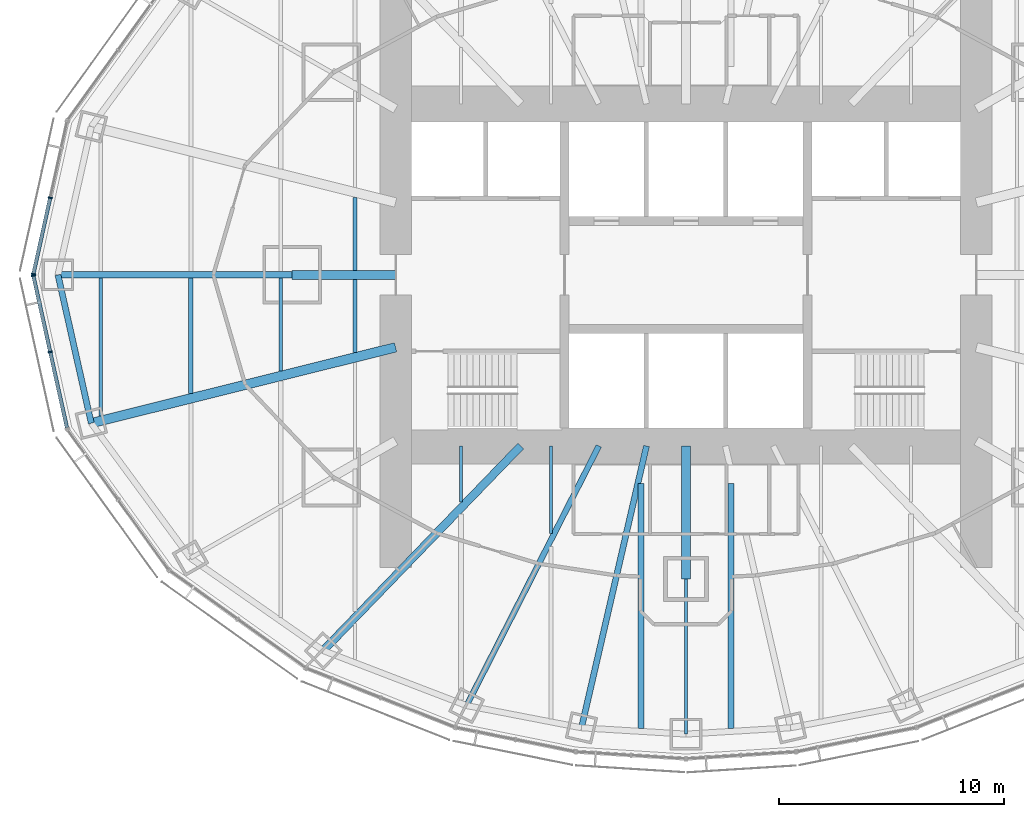
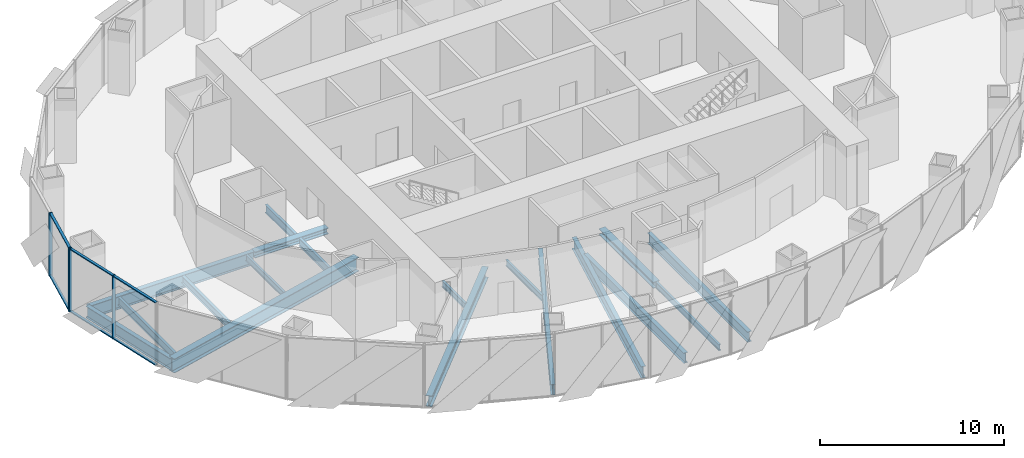
# One storey, part 3 of 18: 18 beams, 10 members, 2 elements without a shape of their own.
"""IFC4 building model written with IfcOpenShell, lengths in metres."""

from ifc_helpers import new_model, si_unit, direction, frame, origin, origin_2d, place, context, subcontext, project, spatial, rectangle, i_section, extrude, material, material_profile, profile_set, type_object, element, aggregate, save


model = new_model("IFC4")

# Units and contexts
model_context = context("Model", 3, precision=1e-05, world=origin(), true_north=direction((0.0, 1.0)))
body_context = subcontext(model_context, "Body", "Model", "MODEL_VIEW")
ifc_project = project(units=[si_unit("LENGTHUNIT", "METRE"), si_unit("AREAUNIT", "SQUARE_METRE"), si_unit("VOLUMEUNIT", "CUBIC_METRE"), si_unit("PLANEANGLEUNIT", "RADIAN"), si_unit("MASSUNIT", "GRAM", prefix="KILO")], contexts=[model_context])

# Site, building, storey
site_placement = place(None, origin())
site = spatial("IfcSite", under=ifc_project, at=site_placement, CompositionType="ELEMENT")
building_placement = place(site_placement, origin())
building = spatial("IfcBuilding", under=site, at=building_placement, Name="Lantaw Convention Tower", CompositionType="ELEMENT")
storey_placement = place(building_placement, frame((0.0, 0.0, 184.60009765625)))
storey = spatial("IfcBuildingStorey", under=building, at=storey_placement, Name="L43", CompositionType="ELEMENT", Elevation=184.60009765625)

# Beams
ifc_material_1 = material(Name="Steel ASTM A992", Category="steel")
ifc_material_profile_1 = material_profile(ifc_material_1, i_section(OverallWidth=0.2666015625, OverallDepth=0.76953125, WebThickness=0.015625, FlangeThickness=0.025390625, FilletRadius=0.0126953125, at=origin_2d()), Name="W30X132")
ifc_profile_set_1 = profile_set([ifc_material_profile_1], Name="Steel ASTM A992")
beam_type_1 = type_object("IfcBeamType", Name="Beam E W30X132", PredefinedType="SPANDREL", material=ifc_profile_set_1)
beam_1_placement = place(storey_placement, frame((-27.89990234375, 0.0, -0.534912109375), z_axis=(0.219211877447, -0.975677279015, 0.0), x_axis=(0.975677279015, 0.219211877447, 0.0)))
element("IfcBeam", 1, at=beam_1_placement, inside=storey, type_object=beam_type_1, Name="Edge beam 13", PredefinedType="SPANDREL", context=body_context, shape_type="SweptSolid", body=[
    extrude(i_section(OverallWidth=0.2666015625, OverallDepth=0.76953125, WebThickness=0.015625, FlangeThickness=0.025390625, FilletRadius=0.0126953125, at=origin_2d()), origin(), (0.0, 0.0, 1.0), 6.75146484375),
])
ifc_material_profile_2 = material_profile(ifc_material_1, i_section(OverallWidth=0.140380859375, OverallDepth=0.40380859375, WebThickness=0.007080078125, FlangeThickness=0.01123046875, FilletRadius=0.01025390625, at=origin_2d()), Name="W16X31")
ifc_profile_set_2 = profile_set([ifc_material_profile_2], Name="Steel ASTM A992")
beam_type_2 = type_object("IfcBeamType", Name="Beam G W16X31", PredefinedType="BEAM", material=ifc_profile_set_2)
beam_2_placement = place(storey_placement, frame((0.0, -13.5, -0.35205078125), z_axis=(0.0, -1.0, 0.0), x_axis=(1.0, 0.0, 0.0)))
element("IfcBeam", 2, at=beam_2_placement, inside=storey, type_object=beam_type_2, Name="Floor girder on ray 19", PredefinedType="BEAM", context=body_context, shape_type="SweptSolid", body=[
    extrude(i_section(OverallWidth=0.140380859375, OverallDepth=0.40380859375, WebThickness=0.007080078125, FlangeThickness=0.01123046875, FilletRadius=0.01025390625, at=origin_2d()), origin(), (0.0, 0.0, 1.0), 6.89990234375),
])
ifc_material_profile_3 = material_profile(ifc_material_1, i_section(OverallWidth=0.25390625, OverallDepth=0.700927734375, WebThickness=0.015380859375, FlangeThickness=0.02783203125, FilletRadius=0.01513671875, at=origin_2d()), Name="W27X129")
ifc_profile_set_3 = profile_set([ifc_material_profile_3], Name="Steel ASTM A992")
beam_type_3 = type_object("IfcBeamType", Name="Beam G W27X129", PredefinedType="BEAM", material=ifc_profile_set_3)
beam_3_placement = place(storey_placement, frame((-3.872314453125, -7.60009765625, -0.500732421875), z_axis=(-0.453991051051, -0.891006243281, 0.0), x_axis=(0.891006243281, -0.453991051051, 0.0)))
element("IfcBeam", 3, at=beam_3_placement, inside=storey, type_object=beam_type_3, Name="Floor girder on ray 17", PredefinedType="BEAM", context=body_context, shape_type="SweptSolid", body=[
    extrude(i_section(OverallWidth=0.25390625, OverallDepth=0.700927734375, WebThickness=0.015380859375, FlangeThickness=0.02783203125, FilletRadius=0.01513671875, at=origin_2d()), origin(), (0.0, 0.0, 1.0), 12.943359375),
])
ifc_material_profile_4 = material_profile(ifc_material_1, i_section(OverallWidth=0.360595703125, OverallDepth=0.72900390625, WebThickness=0.023193359375, FlangeThickness=0.041015625, FilletRadius=0.0126953125, at=origin_2d()), Name="W27X235")
ifc_profile_set_4 = profile_set([ifc_material_profile_4], Name="Steel ASTM A992")
beam_type_4 = type_object("IfcBeamType", Name="Beam G W27X235", PredefinedType="BEAM", material=ifc_profile_set_4)
beam_4_placement = place(storey_placement, frame((-7.33935546875, -7.60009765625, -0.5146484375), z_axis=(-0.694663467407, -0.719334878239, 0.0), x_axis=(0.719334878239, -0.694663467407, 0.0)))
element("IfcBeam", 4, at=beam_4_placement, inside=storey, type_object=beam_type_4, Name="Floor girder on ray 16", PredefinedType="BEAM", context=body_context, shape_type="SweptSolid", body=[
    extrude(i_section(OverallWidth=0.360595703125, OverallDepth=0.72900390625, WebThickness=0.023193359375, FlangeThickness=0.041015625, FilletRadius=0.0126953125, at=origin_2d()), origin(), (0.0, 0.0, 1.0), 12.63671875),
])
ifc_material_profile_5 = material_profile(ifc_material_1, i_section(OverallWidth=0.2666015625, OverallDepth=0.7568359375, WebThickness=0.013916015625, FlangeThickness=0.019287109375, FilletRadius=0.0126953125, at=origin_2d()), Name="W30X108")
ifc_profile_set_5 = profile_set([ifc_material_profile_5], Name="Steel ASTM A992")
beam_type_5 = type_object("IfcBeamType", Name="Beam G W30X108", PredefinedType="BEAM", material=ifc_profile_set_5)
beam_5_placement = place(storey_placement, frame((-1.754638671875, -7.60009765625, -0.528564453125), z_axis=(-0.224944153104, -0.974371658036, 0.0), x_axis=(0.974371658036, -0.224944153104, 0.0)))
element("IfcBeam", 5, at=beam_5_placement, inside=storey, type_object=beam_type_5, Name="Floor girder on ray 18", PredefinedType="BEAM", context=body_context, shape_type="SweptSolid", body=[
    extrude(i_section(OverallWidth=0.2666015625, OverallDepth=0.7568359375, WebThickness=0.013916015625, FlangeThickness=0.019287109375, FilletRadius=0.0126953125, at=origin_2d()), origin(), (0.0, 0.0, 1.0), 12.849365234375),
])
ifc_material_profile_6 = material_profile(ifc_material_1, i_section(OverallWidth=0.2919921875, OverallDepth=0.845703125, WebThickness=0.015380859375, FlangeThickness=0.0244140625, FilletRadius=0.01513671875, at=origin_2d()), Name="W33X141")
ifc_profile_set_6 = profile_set([ifc_material_profile_6], Name="Steel ASTM A992")
beam_type_6 = type_object("IfcBeamType", Name="Beam G W33X141", PredefinedType="BEAM", material=ifc_profile_set_6)
beam_6_placement = place(storey_placement, frame((-17.5, 0.0, -0.572998046875), z_axis=(-1.0, 0.0, 0.0), x_axis=(0.0, -1.0, 0.0)))
element("IfcBeam", 6, at=beam_6_placement, inside=storey, type_object=beam_type_6, Name="Floor girder on ray 13", PredefinedType="BEAM", context=body_context, shape_type="SweptSolid", body=[
    extrude(i_section(OverallWidth=0.2919921875, OverallDepth=0.845703125, WebThickness=0.015380859375, FlangeThickness=0.0244140625, FilletRadius=0.01513671875, at=origin_2d()), origin(), (0.0, 0.0, 1.0), 10.39990234375),
])
ifc_material_profile_7 = material_profile(ifc_material_1, i_section(OverallWidth=0.421630859375, OverallDepth=0.937255859375, WebThickness=0.0224609375, FlangeThickness=0.039794921875, FilletRadius=0.02001953125, at=origin_2d()), Name="W36X282")
ifc_profile_set_7 = profile_set([ifc_material_profile_7], Name="Steel ASTM A992")
beam_type_7 = type_object("IfcBeamType", Name="Beam G W36X282", PredefinedType="BEAM", material=ifc_profile_set_7)
beam_7_placement = place(storey_placement, frame((-12.89990234375, -3.21630859375, -0.61865234375), z_axis=(-0.970296903132, -0.24191717544, 0.0), x_axis=(0.24191717544, -0.970296903132, 0.0)))
element("IfcBeam", 7, at=beam_7_placement, inside=storey, type_object=beam_type_7, Name="Floor girder on ray 14", PredefinedType="BEAM", context=body_context, shape_type="SweptSolid", body=[
    extrude(i_section(OverallWidth=0.421630859375, OverallDepth=0.937255859375, WebThickness=0.0224609375, FlangeThickness=0.039794921875, FilletRadius=0.02001953125, at=origin_2d()), origin(), (0.0, 0.0, 1.0), 13.933837890625),
])
ifc_material_profile_8 = material_profile(ifc_material_1, i_section(OverallWidth=0.40380859375, OverallDepth=0.406494140625, WebThickness=0.027099609375, FlangeThickness=0.043701171875, FilletRadius=0.01513671875, at=origin_2d()), Name="W14X233")
ifc_profile_set_8 = profile_set([ifc_material_profile_8], Name="Steel ASTM A992")
beam_type_8 = type_object("IfcBeamType", Name="Beam GM W14X233", PredefinedType="BEAM", material=ifc_profile_set_8)
beam_8_placement = place(storey_placement, frame((-12.89990234375, 0.0, -0.353271484375), z_axis=(-1.0, 0.0, 0.0), x_axis=(0.0, -1.0, 0.0)))
element("IfcBeam", 8, at=beam_8_placement, inside=storey, type_object=beam_type_8, Name="Core link beam on ray 13", PredefinedType="BEAM", context=body_context, shape_type="SweptSolid", body=[
    extrude(i_section(OverallWidth=0.40380859375, OverallDepth=0.406494140625, WebThickness=0.027099609375, FlangeThickness=0.043701171875, FilletRadius=0.01513671875, at=origin_2d()), origin(), (0.0, 0.0, 1.0), 4.60009765625),
])
beam_9_placement = place(storey_placement, frame((0.0, -7.60009765625, -0.353271484375), z_axis=(0.0, -1.0, 0.0), x_axis=(1.0, 0.0, 0.0)))
element("IfcBeam", 9, at=beam_9_placement, inside=storey, type_object=beam_type_8, Name="Core link beam on ray 19", PredefinedType="BEAM", context=body_context, shape_type="SweptSolid", body=[
    extrude(i_section(OverallWidth=0.40380859375, OverallDepth=0.406494140625, WebThickness=0.027099609375, FlangeThickness=0.043701171875, FilletRadius=0.01513671875, at=origin_2d()), origin(), (0.0, 0.0, 1.0), 5.89990234375),
])
ifc_material_profile_9 = material_profile(ifc_material_1, i_section(OverallWidth=0.140380859375, OverallDepth=0.40380859375, WebThickness=0.007080078125, FlangeThickness=0.01123046875, FilletRadius=0.01025390625, at=origin_2d()), Name="W16X31")
ifc_profile_set_9 = profile_set([ifc_material_profile_9], Name="Steel ASTM A992")
beam_type_9 = type_object("IfcBeamType", Name="Beam J W16X31", PredefinedType="JOIST", material=ifc_profile_set_9)
beam_10_placement = place(storey_placement, frame((-18.0, -4.270751953125, -0.35205078125), z_axis=(0.0, 1.0, 0.0), x_axis=(-1.0, 0.0, 0.0)))
element("IfcBeam", 10, at=beam_10_placement, inside=storey, type_object=beam_type_9, Name="Floor joist", PredefinedType="JOIST", context=body_context, shape_type="SweptSolid", body=[
    extrude(i_section(OverallWidth=0.140380859375, OverallDepth=0.40380859375, WebThickness=0.007080078125, FlangeThickness=0.01123046875, FilletRadius=0.01025390625, at=origin_2d()), origin(), (0.0, 0.0, 1.0), 4.124755859375),
])
beam_11_placement = place(storey_placement, frame((-10.0, -10.095703125, -0.35205078125), z_axis=(0.0, 1.0, 0.0), x_axis=(-1.0, 0.0, 0.0)))
element("IfcBeam", 11, at=beam_11_placement, inside=storey, type_object=beam_type_9, Name="Floor joist", PredefinedType="JOIST", context=body_context, shape_type="SweptSolid", body=[
    extrude(i_section(OverallWidth=0.140380859375, OverallDepth=0.40380859375, WebThickness=0.007080078125, FlangeThickness=0.01123046875, FilletRadius=0.01025390625, at=origin_2d()), origin(), (0.0, 0.0, 1.0), 2.49560546875),
])
beam_12_placement = place(storey_placement, frame((-6.0, -11.495849609375, -0.35205078125), z_axis=(0.0, 1.0, 0.0), x_axis=(-1.0, 0.0, 0.0)))
element("IfcBeam", 12, at=beam_12_placement, inside=storey, type_object=beam_type_9, Name="Floor joist", PredefinedType="JOIST", context=body_context, shape_type="SweptSolid", body=[
    extrude(i_section(OverallWidth=0.140380859375, OverallDepth=0.40380859375, WebThickness=0.007080078125, FlangeThickness=0.01123046875, FilletRadius=0.01025390625, at=origin_2d()), origin(), (0.0, 0.0, 1.0), 3.895751953125),
])
ifc_material_profile_10 = material_profile(ifc_material_1, i_section(OverallWidth=0.1904296875, OverallDepth=0.457275390625, WebThickness=0.009033203125, FlangeThickness=0.014404296875, FilletRadius=0.01025390625, at=origin_2d()), Name="W18X50")
ifc_profile_set_10 = profile_set([ifc_material_profile_10], Name="Steel ASTM A992")
beam_type_10 = type_object("IfcBeamType", Name="Beam J W18X50", PredefinedType="JOIST", material=ifc_profile_set_10)
beam_13_placement = place(storey_placement, frame((-22.0, -5.267822265625, -0.378662109375), z_axis=(0.0, 1.0, 0.0), x_axis=(-1.0, 0.0, 0.0)))
element("IfcBeam", 13, at=beam_13_placement, inside=storey, type_object=beam_type_10, Name="Floor joist", PredefinedType="JOIST", context=body_context, shape_type="SweptSolid", body=[
    extrude(i_section(OverallWidth=0.1904296875, OverallDepth=0.457275390625, WebThickness=0.009033203125, FlangeThickness=0.014404296875, FilletRadius=0.01025390625, at=origin_2d()), origin(), (0.0, 0.0, 1.0), 5.121826171875),
])
ifc_material_profile_11 = material_profile(ifc_material_1, i_section(OverallWidth=0.1650390625, OverallDepth=0.52587890625, WebThickness=0.0087890625, FlangeThickness=0.011474609375, FilletRadius=0.0126953125, at=origin_2d()), Name="W21X44")
ifc_profile_set_11 = profile_set([ifc_material_profile_11], Name="Steel ASTM A992")
beam_type_11 = type_object("IfcBeamType", Name="Beam J W21X44", PredefinedType="JOIST", material=ifc_profile_set_11)
beam_14_placement = place(storey_placement, frame((-26.0, -6.26513671875, -0.4130859375), z_axis=(0.0, 1.0, 0.0), x_axis=(-1.0, 0.0, 0.0)))
element("IfcBeam", 14, at=beam_14_placement, inside=storey, type_object=beam_type_11, Name="Floor joist", PredefinedType="JOIST", context=body_context, shape_type="SweptSolid", body=[
    extrude(i_section(OverallWidth=0.1650390625, OverallDepth=0.52587890625, WebThickness=0.0087890625, FlangeThickness=0.011474609375, FilletRadius=0.0126953125, at=origin_2d()), origin(), (0.0, 0.0, 1.0), 6.119140625),
])
ifc_material_profile_12 = material_profile(ifc_material_1, i_section(OverallWidth=0.165771484375, OverallDepth=0.5283203125, WebThickness=0.009765625, FlangeThickness=0.013671875, FilletRadius=0.012939453125, at=origin_2d()), Name="W21X50")
ifc_profile_set_12 = profile_set([ifc_material_profile_12], Name="Steel ASTM A992")
beam_type_12 = type_object("IfcBeamType", Name="Beam J W21X50", PredefinedType="JOIST", material=ifc_profile_set_12)
for number, where, z_axis, x_axis, name in (
    (15, (-14.699951171875, -3.44775390625, -0.414306640625), (0.0, 1.0, 0.0), (-1.0, 0.0, 0.0), "Floor joist"),
    (16, (-14.699951171875, 0.201904296875, -0.414306640625), (0.0, 1.0, 0.0), (-1.0, 0.0, 0.0), "Floor joist"),
):
    element("IfcBeam", number, at=place(storey_placement, frame(where, z_axis=z_axis, x_axis=x_axis)), inside=storey, type_object=beam_type_12, Name=name, PredefinedType="JOIST", context=body_context, shape_type="SweptSolid", body=[
        extrude(i_section(OverallWidth=0.165771484375, OverallDepth=0.5283203125, WebThickness=0.009765625, FlangeThickness=0.013671875, FilletRadius=0.012939453125, at=origin_2d()), origin(), (0.0, 0.0, 1.0), 3.245849609375),
    ])
ifc_material_profile_13 = material_profile(ifc_material_1, i_section(OverallWidth=0.25390625, OverallDepth=0.683349609375, WebThickness=0.012451171875, FlangeThickness=0.01904296875, FilletRadius=0.01513671875, at=origin_2d()), Name="W27X94")
ifc_profile_set_13 = profile_set([ifc_material_profile_13], Name="Steel ASTM A992")
beam_type_13 = type_object("IfcBeamType", Name="Beam J W27X94", PredefinedType="JOIST", material=ifc_profile_set_13)
for number, where, z_axis, x_axis, name in (
    (17, (-2.0, -20.145751953125, -0.49169921875), (0.0, 1.0, 0.0), (-1.0, 0.0, 0.0), "Floor joist"),
    (18, (2.0, -20.145751953125, -0.49169921875), (0.0, 1.0, 0.0), (-1.0, 0.0, 0.0), "Floor joist"),
):
    element("IfcBeam", number, at=place(storey_placement, frame(where, z_axis=z_axis, x_axis=x_axis)), inside=storey, type_object=beam_type_13, Name=name, PredefinedType="JOIST", context=body_context, shape_type="SweptSolid", body=[
        extrude(i_section(OverallWidth=0.25390625, OverallDepth=0.683349609375, WebThickness=0.012451171875, FlangeThickness=0.01904296875, FilletRadius=0.01513671875, at=origin_2d()), origin(), (0.0, 0.0, 1.0), 10.889892578125),
    ])

# Curtain wall, members
ifc_material_2 = material(Name="Aluminium framed curtain wall", Category="aluminium")
curtain_wall_type = type_object("IfcCurtainWallType", Name="Office curtain wall low rise, pale aluminium", PredefinedType="USERDEFINED", material=ifc_material_2)
curtain_wall_1_placement = place(storey_placement, origin())
curtain_wall_1 = element("IfcCurtainWall", 19, at=curtain_wall_1_placement, inside=storey, type_object=curtain_wall_type, Name="Office curtain wall low rise, pale aluminium L43", ObjectType="UNITISED CURTAIN WALL", PredefinedType="USERDEFINED")
ifc_material_3 = material(Name="Aluminium 6063-T6", Category="aluminium")
ifc_material_profile_14 = material_profile(ifc_material_3, rectangle(XDim=0.199951171875, YDim=0.06494140625, at=origin_2d()), Name="CW-O1 mullion 65x200")
ifc_profile_set_14 = profile_set([ifc_material_profile_14], Name="Aluminium 6063-T6")
member_type_1 = type_object("IfcMemberType", Name="CW-O1 mullion 65x200", PredefinedType="MULLION", material=ifc_profile_set_14)
member_1_placement = place(storey_placement, frame((-28.24365234375, 3.4267578125, -0.150146484375), z_axis=(0.0, 0.0, 1.0), x_axis=(0.9764936509, -0.215546166174, 0.0)))
member_1 = element("IfcMember", 20, at=member_1_placement, type_object=member_type_1, Name="CW-O1 mullion 2", PredefinedType="MULLION", context=body_context, shape_type="SweptSolid", body=[
    extrude(rectangle(XDim=0.199951171875, YDim=0.06494140625, at=origin_2d()), origin(), (0.0, 0.0, 1.0), 4.199951171875),
])
member_2_placement = place(storey_placement, frame((-28.992919921875, 0.03173828125, -0.150146484375), z_axis=(0.0, 0.0, 1.0), x_axis=(0.9764936509, -0.215546166174, 0.0)))
member_2 = element("IfcMember", 21, at=member_2_placement, type_object=member_type_1, Name="CW-O1 mullion 3", PredefinedType="MULLION", context=body_context, shape_type="SweptSolid", body=[
    extrude(rectangle(XDim=0.199951171875, YDim=0.06494140625, at=origin_2d()), origin(), (0.0, 0.0, 1.0), 4.199951171875),
])

curtain_wall_2_placement = place(storey_placement, origin())
curtain_wall_2 = element("IfcCurtainWall", 22, at=curtain_wall_2_placement, inside=storey, type_object=curtain_wall_type, Name="Office curtain wall low rise, pale aluminium L43", ObjectType="UNITISED CURTAIN WALL", PredefinedType="USERDEFINED")
member_3_placement = place(storey_placement, frame((-28.992919921875, -0.03173828125, -0.150146484375), z_axis=(0.0, 0.0, 1.0), x_axis=(0.9764936509, 0.215546166174, 0.0)))
member_3 = element("IfcMember", 23, at=member_3_placement, type_object=member_type_1, Name="CW-O1 mullion 1", PredefinedType="MULLION", context=body_context, shape_type="SweptSolid", body=[
    extrude(rectangle(XDim=0.199951171875, YDim=0.06494140625, at=origin_2d()), origin(), (0.0, 0.0, 1.0), 4.199951171875),
])
member_4_placement = place(storey_placement, frame((-28.24365234375, -3.4267578125, -0.150146484375), z_axis=(0.0, 0.0, 1.0), x_axis=(0.9764936509, 0.215546166174, 0.0)))
member_4 = element("IfcMember", 24, at=member_4_placement, type_object=member_type_1, Name="CW-O1 mullion 2", PredefinedType="MULLION", context=body_context, shape_type="SweptSolid", body=[
    extrude(rectangle(XDim=0.199951171875, YDim=0.06494140625, at=origin_2d()), origin(), (0.0, 0.0, 1.0), 4.199951171875),
])

# Member
ifc_material_profile_15 = material_profile(ifc_material_3, rectangle(XDim=0.159912109375, YDim=0.06494140625, at=origin_2d()), Name="CW-O1 transom 65x160")
ifc_profile_set_15 = profile_set([ifc_material_profile_15], Name="Aluminium 6063-T6")
member_type_2 = type_object("IfcMemberType", Name="CW-O1 transom 65x160", PredefinedType="USERDEFINED", material=ifc_profile_set_15)
member_5_placement = place(storey_placement, frame((-28.250732421875, 3.39501953125, -0.11767578125), z_axis=(-0.215536096386, -0.976495873598, 0.0), x_axis=(0.976495873598, -0.215536096386, 0.0)))
member_5 = element("IfcMember", 25, at=member_5_placement, type_object=member_type_2, Name="CW-O1 transom 2.1", ObjectType="TRANSOM", PredefinedType="USERDEFINED", context=body_context, shape_type="SweptSolid", body=[
    extrude(rectangle(XDim=0.159912109375, YDim=0.06494140625, at=origin_2d()), origin(), (0.0, 0.0, 1.0), 3.41162109375),
])

member_6_placement = place(storey_placement, frame((-28.250732421875, 3.39501953125, 4.017333984375), z_axis=(-0.215536096386, -0.976495873598, 0.0), x_axis=(0.976495873598, -0.215536096386, 0.0)))
member_6 = element("IfcMember", 26, at=member_6_placement, type_object=member_type_2, Name="CW-O1 transom 2.2", ObjectType="TRANSOM", PredefinedType="USERDEFINED", context=body_context, shape_type="SweptSolid", body=[
    extrude(rectangle(XDim=0.159912109375, YDim=0.06494140625, at=origin_2d()), origin(), (0.0, 0.0, 1.0), 3.41162109375),
])

aggregate(curtain_wall_1, [member_1, member_2, member_5, member_6])

member_7_placement = place(storey_placement, frame((-28.986083984375, -0.0634765625, -0.11767578125), z_axis=(0.215536096386, -0.976495873598, 0.0), x_axis=(0.976495873598, 0.215536096386, 0.0)))
member_7 = element("IfcMember", 27, at=member_7_placement, type_object=member_type_2, Name="CW-O1 transom 1.1", ObjectType="TRANSOM", PredefinedType="USERDEFINED", context=body_context, shape_type="SweptSolid", body=[
    extrude(rectangle(XDim=0.159912109375, YDim=0.06494140625, at=origin_2d()), origin(), (0.0, 0.0, 1.0), 3.41162109375),
])

member_8_placement = place(storey_placement, frame((-28.986083984375, -0.0634765625, 4.017333984375), z_axis=(0.215536096386, -0.976495873598, 0.0), x_axis=(0.976495873598, 0.215536096386, 0.0)))
member_8 = element("IfcMember", 28, at=member_8_placement, type_object=member_type_2, Name="CW-O1 transom 1.2", ObjectType="TRANSOM", PredefinedType="USERDEFINED", context=body_context, shape_type="SweptSolid", body=[
    extrude(rectangle(XDim=0.159912109375, YDim=0.06494140625, at=origin_2d()), origin(), (0.0, 0.0, 1.0), 3.41162109375),
])

member_9_placement = place(storey_placement, frame((-28.236572265625, -3.45849609375, -0.11767578125), z_axis=(0.21555115847, -0.976492548913, 0.0), x_axis=(0.976492548913, 0.21555115847, 0.0)))
member_9 = element("IfcMember", 29, at=member_9_placement, type_object=member_type_2, Name="CW-O1 transom 2.1", ObjectType="TRANSOM", PredefinedType="USERDEFINED", context=body_context, shape_type="SweptSolid", body=[
    extrude(rectangle(XDim=0.159912109375, YDim=0.06494140625, at=origin_2d()), origin(), (0.0, 0.0, 1.0), 3.411376953125),
])

member_10_placement = place(storey_placement, frame((-28.236572265625, -3.45849609375, 4.017333984375), z_axis=(0.21555115847, -0.976492548913, 0.0), x_axis=(0.976492548913, 0.21555115847, 0.0)))
member_10 = element("IfcMember", 30, at=member_10_placement, type_object=member_type_2, Name="CW-O1 transom 2.2", ObjectType="TRANSOM", PredefinedType="USERDEFINED", context=body_context, shape_type="SweptSolid", body=[
    extrude(rectangle(XDim=0.159912109375, YDim=0.06494140625, at=origin_2d()), origin(), (0.0, 0.0, 1.0), 3.411376953125),
])

aggregate(curtain_wall_2, [member_3, member_4, member_7, member_8, member_9, member_10])

save(model, "model.ifc")
